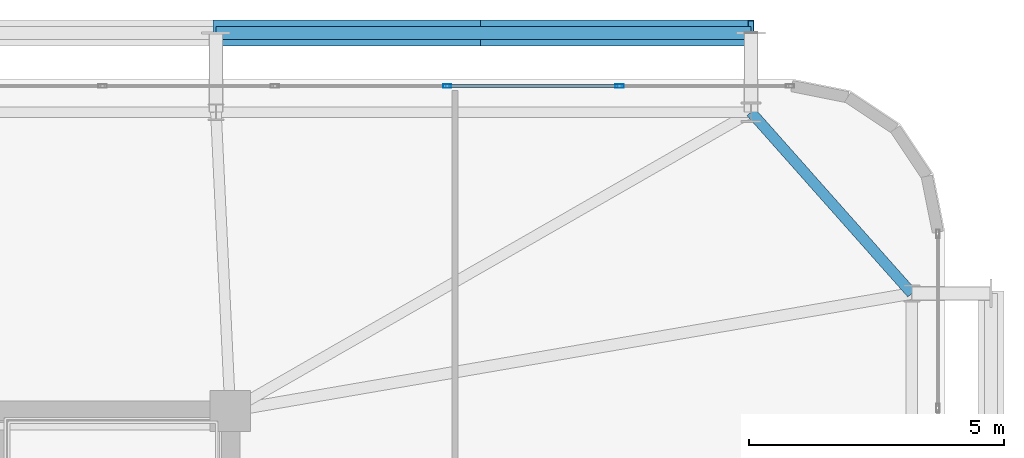
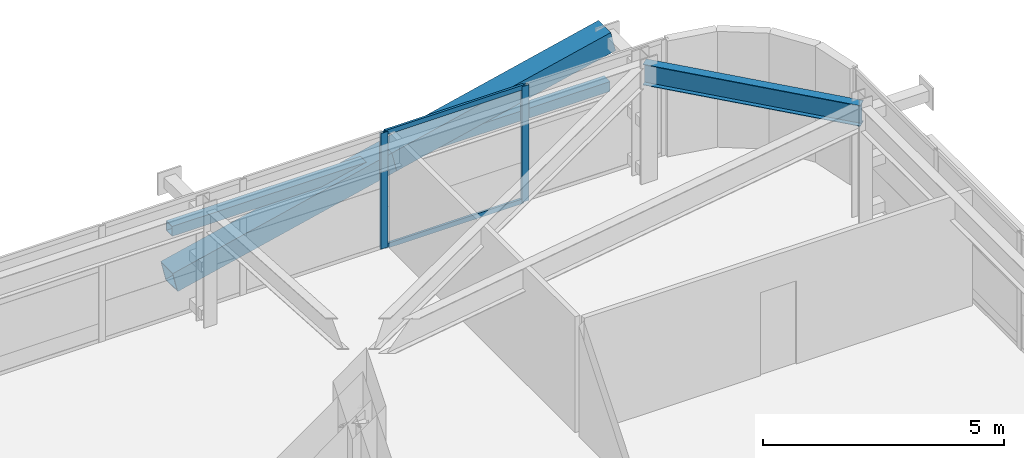
# One storey, part 40 of 58: 7 members, 1 beam, 1 element without a shape of its own.
"""IFC4 building model written with IfcOpenShell, lengths in metres."""

from ifc_helpers import new_model, si_unit, direction, frame, origin, origin_2d, place, context, subcontext, project, spatial, hollow_rectangle, i_section, extrude, source, transform, mapped, material, layer, layer_set, material_profile, profile_set, type_object, element, aggregate, save


model = new_model("IFC4")

# Units and contexts
model_context = context("Model", 3, precision=1e-05, world=origin(), true_north=direction((0.0, 1.0)))
body_context = subcontext(model_context, "Body", "Model", "MODEL_VIEW")
ifc_project = project(units=[si_unit("LENGTHUNIT", "METRE"), si_unit("AREAUNIT", "SQUARE_METRE"), si_unit("VOLUMEUNIT", "CUBIC_METRE"), si_unit("PLANEANGLEUNIT", "RADIAN"), si_unit("MASSUNIT", "GRAM", prefix="KILO")], contexts=[model_context])

# Site, building, storey
site_placement = place(None, origin())
site = spatial("IfcSite", under=ifc_project, at=site_placement, CompositionType="ELEMENT")
building_placement = place(site_placement, origin())
building = spatial("IfcBuilding", under=site, at=building_placement, Name="Taldren Reach Tower", CompositionType="ELEMENT")
storey_placement = place(building_placement, frame((0.0, 0.0, 35.699951171875)))
storey = spatial("IfcBuildingStorey", under=building, at=storey_placement, Name="L10", CompositionType="ELEMENT", Elevation=35.699951171875)

# Beam
ifc_material_1 = material(Name="Steel Gr 350 (350PLUS)", Category="steel")
ifc_material_profile_1 = material_profile(ifc_material_1, i_section(OverallWidth=0.208984375, OverallDepth=0.528076171875, WebThickness=0.009521484375, FlangeThickness=0.01318359375, at=origin_2d()), Name="530UB82.0")
ifc_profile_set_1 = profile_set([ifc_material_profile_1], Name="Steel Gr 350 (350PLUS)")
beam_type = type_object("IfcBeamType", Name="SP-UB530B", PredefinedType="SPANDREL", material=ifc_profile_set_1)
shared_shape_1 = source(origin(), body_context, "Body", "SweptSolid", [
    extrude(i_section(OverallWidth=0.208984375, OverallDepth=0.528076171875, WebThickness=0.009521484375, FlangeThickness=0.01318359375, at=origin_2d()), origin(), (0.0, 0.0, 1.0), 4.74609375),
])
beam_placement = place(storey_placement, frame((64.35009765625, 34.300048828125, 2.666015625), z_axis=(-0.663721843779, 0.747979487747, 0.0), x_axis=(-0.747979487747, -0.663721843779, 0.0)))
element("IfcBeam", 1, at=beam_placement, inside=storey, type_object=beam_type, Name="Perimeter spandrel B1 E3-N6 L10", PredefinedType="SPANDREL", context=body_context, shape_type="MappedRepresentation", body=[
    mapped(shared_shape_1, transform((0.0, 0.0, 0.0), scale=1.0)),
])

# Members
ifc_material_2 = material(Name="Steel Gr 450 (C450L0)", Category="steel")
ifc_material_profile_2 = material_profile(ifc_material_2, hollow_rectangle(XDim=0.510009765625, YDim=0.510009765625, WallThickness=0.02001953125, at=origin_2d()), Name="510x510x20.0SHS")
ifc_profile_set_2 = profile_set([ifc_material_profile_2], Name="Steel Gr 450 (C450L0)")
member_type_1 = type_object("IfcMemberType", Name="MB-EXO508", PredefinedType="BRACE", material=ifc_profile_set_2)
shared_shape_2 = source(origin(), body_context, "Body", "SweptSolid", [
    extrude(hollow_rectangle(XDim=0.510009765625, YDim=0.510009765625, WallThickness=0.02001953125, at=origin_2d()), origin(), (0.0, 0.0, 1.0), 5.37890625),
])
for number, where, z_axis, x_axis, name in (
    (2, (50.719970703125, 39.39990234375, 0.219970703125), (0.97415197996, 0.0, 0.225893603143), (0.0, 1.0, 0.0), "Exoskeleton Diagrid Brace B1-N5 L10"),
    (3, (55.9599609375, 39.39990234375, 1.43505859375), (0.97415197996, 0.0, 0.225893603143), (0.0, 1.0, 0.0), "Exoskeleton Diagrid Brace B1-N5 L10"),
):
    element("IfcMember", number, at=place(storey_placement, frame(where, z_axis=z_axis, x_axis=x_axis)), inside=storey, type_object=member_type_1, Name=name, PredefinedType="BRACE", context=body_context, shape_type="MappedRepresentation", body=[
        mapped(shared_shape_2, transform((0.0, 0.0, 0.0), scale=1.0)),
    ])
ifc_material_3 = material(Name="Steel Gr 350 (C350L0)", Category="steel")
ifc_material_profile_3 = material_profile(ifc_material_3, hollow_rectangle(XDim=0.25, YDim=0.25, WallThickness=0.010009765625, at=origin_2d()), Name="250x250x10.0SHS")
ifc_profile_set_3 = profile_set([ifc_material_profile_3], Name="Steel Gr 350 (C350L0)")
member_type_2 = type_object("IfcMemberType", Name="MB-POST250", PredefinedType="POST", material=ifc_profile_set_3)
shared_shape_3 = source(origin(), body_context, "Body", "SweptSolid", [
    extrude(hollow_rectangle(XDim=0.25, YDim=0.25, WallThickness=0.010009765625, at=origin_2d()), origin(), (0.0, 0.0, 1.0), 10.47998046875),
])
member_1_placement = place(storey_placement, frame((50.719970703125, 39.39990234375, 1.43505859375), z_axis=(1.0, 0.0, 0.0), x_axis=(0.0, 1.0, 0.0)))
element("IfcMember", 4, at=member_1_placement, inside=storey, type_object=member_type_2, Name="Exoskeleton mid-height ring chord B1-N5 L10", PredefinedType="POST", context=body_context, shape_type="MappedRepresentation", body=[
    mapped(shared_shape_3, transform((0.0, 0.0, 0.0), scale=1.0)),
])

# Curtain wall, members
ifc_material_4 = material(Name="Aluminium and Low-E Glass Unitised System", Category="aluminium")
ifc_layer = layer(ifc_material_4, 0.159912109375)
ifc_layer_set = layer_set([ifc_layer], Name="Aluminium and Low-E Glass Unitised System")
curtain_wall_type = type_object("IfcCurtainWallType", Name="CW-SYS-2", PredefinedType="NOTDEFINED", material=ifc_layer_set)
curtain_wall_placement = place(storey_placement, origin())
curtain_wall = element("IfcCurtainWall", 5, at=curtain_wall_placement, inside=storey, type_object=curtain_wall_type, Name="Unitised curtain wall CW-L10-N", PredefinedType="NOTDEFINED")
ifc_material_5 = material(Name="Anodised Aluminium 6063-T6", Category="aluminium")
ifc_material_profile_4 = material_profile(ifc_material_5, hollow_rectangle(XDim=0.06494140625, YDim=0.1650390625, WallThickness=0.00390625, at=origin_2d()), Name="ALU-165x65x4RHS")
ifc_profile_set_4 = profile_set([ifc_material_profile_4], Name="Anodised Aluminium 6063-T6")
member_type_3 = type_object("IfcMemberType", Name="CW-MUL-165", PredefinedType="MULLION", material=ifc_profile_set_4)
shared_shape_4 = source(origin(), body_context, "Body", "SweptSolid", [
    extrude(hollow_rectangle(XDim=0.06494140625, YDim=0.1650390625, WallThickness=0.00390625, at=origin_2d()), origin(), (0.0, 0.0, 1.0), 2.929931640625),
])
member_2_placement = place(storey_placement, frame((58.625, 38.360107421875, 0.0), z_axis=(0.0, 0.0, 1.0), x_axis=(0.0, -1.0, 0.0)))
member_2 = element("IfcMember", 6, at=member_2_placement, type_object=member_type_3, Name="CW-2 mullion 2", PredefinedType="MULLION", context=body_context, shape_type="MappedRepresentation", body=[
    mapped(shared_shape_4, transform((0.0, 0.0, 0.0), scale=1.0)),
])
member_3_placement = place(storey_placement, frame((55.25, 38.360107421875, 0.0), z_axis=(0.0, 0.0, 1.0), x_axis=(0.0, -1.0, 0.0)))
member_3 = element("IfcMember", 7, at=member_3_placement, type_object=member_type_3, Name="CW-2 mullion 3", PredefinedType="MULLION", context=body_context, shape_type="MappedRepresentation", body=[
    mapped(shared_shape_4, transform((0.0, 0.0, 0.0), scale=1.0)),
])
ifc_material_profile_5 = material_profile(ifc_material_5, hollow_rectangle(XDim=0.054931640625, YDim=0.1201171875, WallThickness=0.0029296875, at=origin_2d()), Name="ALU-120x55x3RHS")
ifc_profile_set_5 = profile_set([ifc_material_profile_5], Name="Anodised Aluminium 6063-T6")
member_type_4 = type_object("IfcMemberType", Name="CW-TRN-135", PredefinedType="USERDEFINED", material=ifc_profile_set_5)
shared_shape_5 = source(origin(), body_context, "Body", "SweptSolid", [
    extrude(hollow_rectangle(XDim=0.054931640625, YDim=0.1201171875, WallThickness=0.0029296875, at=origin_2d()), origin(), (0.0, 0.0, 1.0), 3.31005859375),
])
member_4_placement = place(storey_placement, frame((58.592529296875, 38.360107421875, 0.027587890625), z_axis=(-1.0, 0.0, 0.0), x_axis=(0.0, -1.0, 0.0)))
member_4 = element("IfcMember", 8, at=member_4_placement, type_object=member_type_4, Name="CW-2 transom 2.1", ObjectType="TRANSOM", PredefinedType="USERDEFINED", context=body_context, shape_type="MappedRepresentation", body=[
    mapped(shared_shape_5, transform((0.0, 0.0, 0.0), scale=1.0)),
])
member_5_placement = place(storey_placement, frame((58.592529296875, 38.360107421875, 2.902587890625), z_axis=(-1.0, 0.0, 0.0), x_axis=(0.0, -1.0, 0.0)))
member_5 = element("IfcMember", 9, at=member_5_placement, type_object=member_type_4, Name="CW-2 transom 2.2", ObjectType="TRANSOM", PredefinedType="USERDEFINED", context=body_context, shape_type="MappedRepresentation", body=[
    mapped(shared_shape_5, transform((0.0, 0.0, 0.0), scale=1.0)),
])
aggregate(curtain_wall, [member_2, member_3, member_4, member_5])

save(model, "model.ifc")
